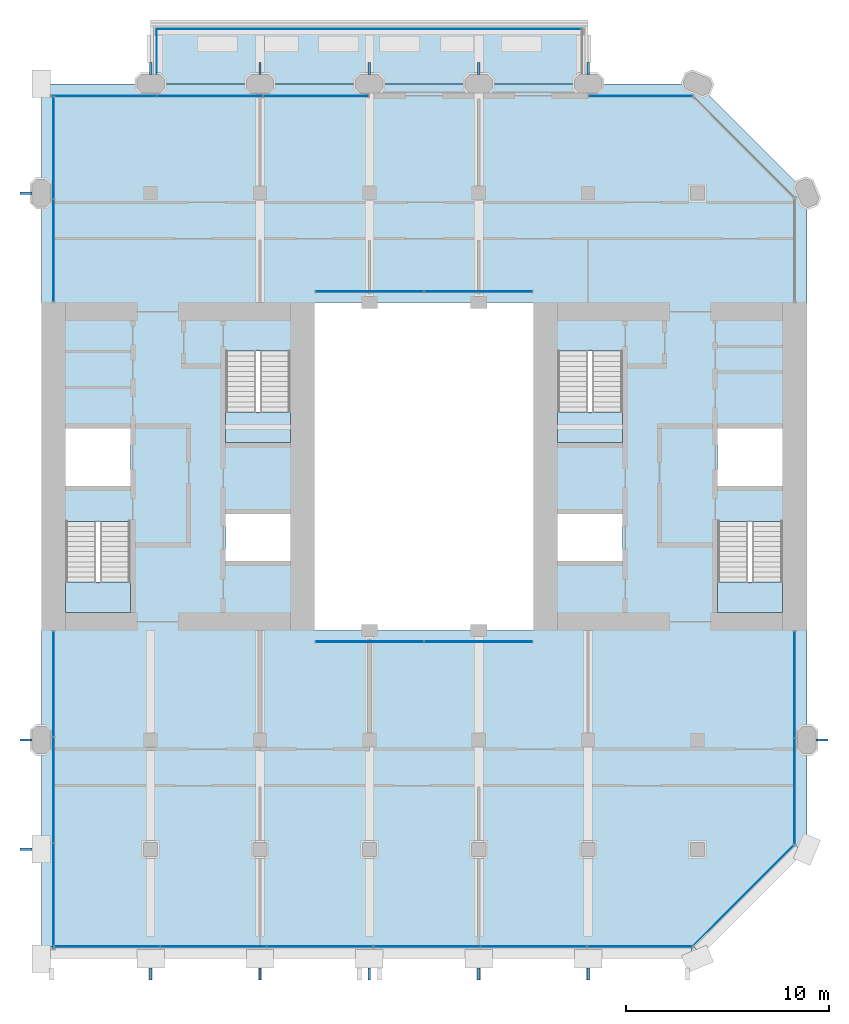
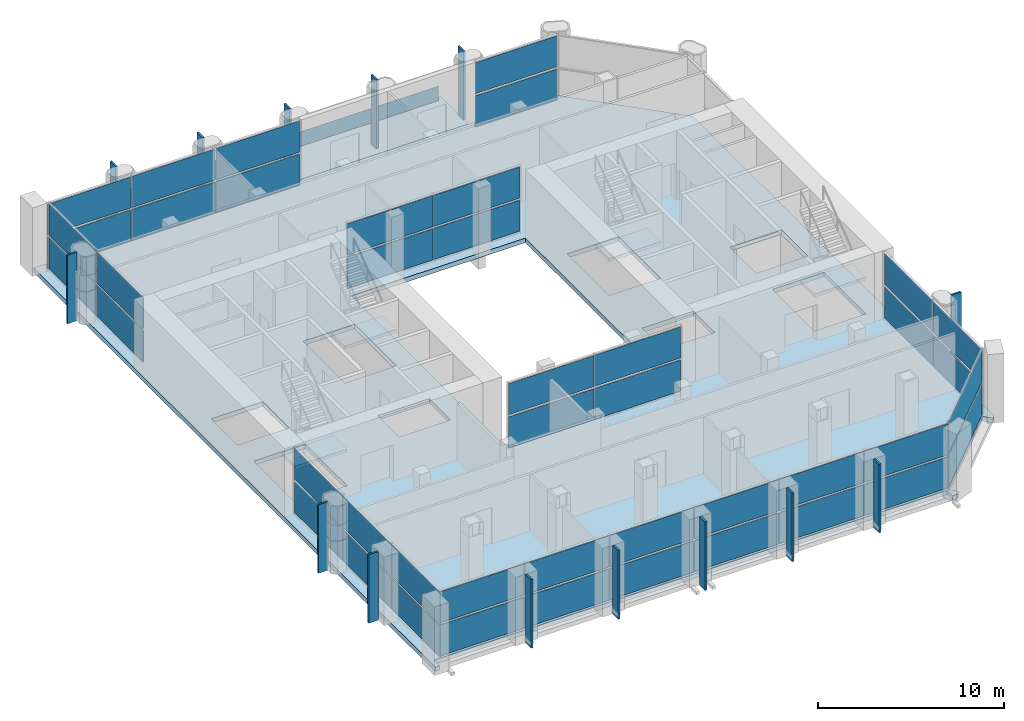
# One storey, part 7 of 13: 60 plates, 6 slabs, 13 elements without a shape of their own.
"""IFC4 building model written with IfcOpenShell, lengths in metres."""

from ifc_helpers import new_model, si_unit, direction, frame, frame_2d, origin, origin_2d, place, context, subcontext, project, spatial, polyline, rectangle, outline, extrude, material, layer, layer_set, type_object, element, aggregate, save


model = new_model("IFC4")

# Units and contexts
model_context = context("Model", 3, precision=1e-05, world=origin(), true_north=direction((0.0, 1.0)))
body_context = subcontext(model_context, "Body", "Model", "MODEL_VIEW")
ifc_project = project(units=[si_unit("LENGTHUNIT", "METRE"), si_unit("AREAUNIT", "SQUARE_METRE"), si_unit("VOLUMEUNIT", "CUBIC_METRE"), si_unit("PLANEANGLEUNIT", "RADIAN"), si_unit("MASSUNIT", "GRAM", prefix="KILO")], contexts=[model_context])

# Site, building, storey
site_placement = place(None, origin())
site = spatial("IfcSite", under=ifc_project, at=site_placement, CompositionType="ELEMENT")
building_placement = place(site_placement, origin())
building = spatial("IfcBuilding", under=site, at=building_placement, Name="Tabaq Tower and Sports Hall", CompositionType="ELEMENT")
storey_placement = place(building_placement, frame((0.0, 0.0, 255.699951171875)))
storey = spatial("IfcBuildingStorey", under=building, at=storey_placement, Name="L62", CompositionType="ELEMENT", Elevation=255.699951171875)

# Curtain wall, plates
ifc_material_1 = material(Name="Aluminium alloy 6063-T6 framed glazing", Category="aluminium")
curtain_wall_type_1 = type_object("IfcCurtainWallType", Name="CW1 curtain wall", PredefinedType="USERDEFINED", material=ifc_material_1)
curtain_wall_1_placement = place(storey_placement, origin())
curtain_wall_1 = element("IfcCurtainWall", 1, at=curtain_wall_1_placement, inside=storey, type_object=curtain_wall_type_1, Name="Atrium glazing L62 S", ObjectType="ATRIUM ENCLOSURE", PredefinedType="USERDEFINED")
ifc_material_2 = material(Name="Clear low-emissivity glass 28 mm", Category="glass")
ifc_layer_1 = layer(ifc_material_2, 0.028076171875)
ifc_layer_set_1 = layer_set([ifc_layer_1], Name="CW1 glass panel 28")
plate_type_1 = type_object("IfcPlateType", Name="CW1 glass panel 28", PredefinedType="CURTAIN_PANEL", material=ifc_layer_set_1)
plate_1_placement = place(storey_placement, frame((21.614990234375, 15.64990234375, 0.14013671875), z_axis=(0.0, 0.0, 1.0), x_axis=(1.0, 0.0, 0.0)))
plate_1 = element("IfcPlate", 2, at=plate_1_placement, type_object=plate_type_1, Name="CW1 panel 1.1", PredefinedType="CURTAIN_PANEL", context=body_context, shape_type="SweptSolid", body=[
    extrude(rectangle(XDim=5.31005859375, YDim=0.028076171875, at=origin_2d()), origin(), (0.0, 0.0, 1.0), 2.0400390625),
])
plate_2_placement = place(storey_placement, frame((21.614990234375, 15.64990234375, 2.320068359375), z_axis=(0.0, 0.0, 1.0), x_axis=(1.0, 0.0, 0.0)))
plate_2 = element("IfcPlate", 3, at=plate_2_placement, type_object=plate_type_1, Name="CW1 panel 1.2", PredefinedType="CURTAIN_PANEL", context=body_context, shape_type="SweptSolid", body=[
    extrude(rectangle(XDim=5.31005859375, YDim=0.028076171875, at=origin_2d()), origin(), (0.0, 0.0, 1.0), 2.0400390625),
])
plate_3_placement = place(storey_placement, frame((26.985107421875, 15.64990234375, 0.14013671875), z_axis=(0.0, 0.0, 1.0), x_axis=(1.0, 0.0, 0.0)))
plate_3 = element("IfcPlate", 4, at=plate_3_placement, type_object=plate_type_1, Name="CW1 panel 2.1", PredefinedType="CURTAIN_PANEL", context=body_context, shape_type="SweptSolid", body=[
    extrude(rectangle(XDim=5.31005859375, YDim=0.028076171875, at=origin_2d()), origin(), (0.0, 0.0, 1.0), 2.0400390625),
])
plate_4_placement = place(storey_placement, frame((26.985107421875, 15.64990234375, 2.320068359375), z_axis=(0.0, 0.0, 1.0), x_axis=(1.0, 0.0, 0.0)))
plate_4 = element("IfcPlate", 5, at=plate_4_placement, type_object=plate_type_1, Name="CW1 panel 2.2", PredefinedType="CURTAIN_PANEL", context=body_context, shape_type="SweptSolid", body=[
    extrude(rectangle(XDim=5.31005859375, YDim=0.028076171875, at=origin_2d()), origin(), (0.0, 0.0, 1.0), 2.0400390625),
])
aggregate(curtain_wall_1, [plate_1, plate_2, plate_3, plate_4])

curtain_wall_2_placement = place(storey_placement, origin())
curtain_wall_2 = element("IfcCurtainWall", 6, at=curtain_wall_2_placement, inside=storey, type_object=curtain_wall_type_1, Name="Atrium glazing L62 N", ObjectType="ATRIUM ENCLOSURE", PredefinedType="USERDEFINED")
plate_5_placement = place(storey_placement, frame((21.614990234375, 32.949951171875, 0.14013671875), z_axis=(0.0, 0.0, 1.0), x_axis=(1.0, 0.0, 0.0)))
plate_5 = element("IfcPlate", 7, at=plate_5_placement, type_object=plate_type_1, Name="CW1 panel 1.1", PredefinedType="CURTAIN_PANEL", context=body_context, shape_type="SweptSolid", body=[
    extrude(rectangle(XDim=5.31005859375, YDim=0.028076171875, at=origin_2d()), origin(), (0.0, 0.0, 1.0), 2.0400390625),
])
plate_6_placement = place(storey_placement, frame((21.614990234375, 32.949951171875, 2.320068359375), z_axis=(0.0, 0.0, 1.0), x_axis=(1.0, 0.0, 0.0)))
plate_6 = element("IfcPlate", 8, at=plate_6_placement, type_object=plate_type_1, Name="CW1 panel 1.2", PredefinedType="CURTAIN_PANEL", context=body_context, shape_type="SweptSolid", body=[
    extrude(rectangle(XDim=5.31005859375, YDim=0.028076171875, at=origin_2d()), origin(), (0.0, 0.0, 1.0), 2.0400390625),
])
plate_7_placement = place(storey_placement, frame((26.985107421875, 32.949951171875, 0.14013671875), z_axis=(0.0, 0.0, 1.0), x_axis=(1.0, 0.0, 0.0)))
plate_7 = element("IfcPlate", 9, at=plate_7_placement, type_object=plate_type_1, Name="CW1 panel 2.1", PredefinedType="CURTAIN_PANEL", context=body_context, shape_type="SweptSolid", body=[
    extrude(rectangle(XDim=5.31005859375, YDim=0.028076171875, at=origin_2d()), origin(), (0.0, 0.0, 1.0), 2.0400390625),
])
plate_8_placement = place(storey_placement, frame((26.985107421875, 32.949951171875, 2.320068359375), z_axis=(0.0, 0.0, 1.0), x_axis=(1.0, 0.0, 0.0)))
plate_8 = element("IfcPlate", 10, at=plate_8_placement, type_object=plate_type_1, Name="CW1 panel 2.2", PredefinedType="CURTAIN_PANEL", context=body_context, shape_type="SweptSolid", body=[
    extrude(rectangle(XDim=5.31005859375, YDim=0.028076171875, at=origin_2d()), origin(), (0.0, 0.0, 1.0), 2.0400390625),
])
aggregate(curtain_wall_2, [plate_5, plate_6, plate_7, plate_8])

ifc_material_3 = material(Name="Aluminium alloy 6063-T6 framed glazing", Category="aluminium")
curtain_wall_type_2 = type_object("IfcCurtainWallType", Name="CW3 curtain wall", PredefinedType="USERDEFINED", material=ifc_material_3)
curtain_wall_3_placement = place(storey_placement, origin())
curtain_wall_3 = element("IfcCurtainWall", 11, at=curtain_wall_3_placement, inside=storey, type_object=curtain_wall_type_2, Name="Garden Floor Wall L62 S", ObjectType="GARDEN FLOOR WALL", PredefinedType="USERDEFINED")
ifc_material_4 = material(Name="Clear low-emissivity glass 28 mm", Category="glass")
ifc_layer_2 = layer(ifc_material_4, 0.028076171875)
ifc_layer_set_2 = layer_set([ifc_layer_2], Name="CW3 glass panel 28")
plate_type_2 = type_object("IfcPlateType", Name="CW3 glass panel 28", PredefinedType="CURTAIN_PANEL", material=ifc_layer_set_2)
plate_9_placement = place(storey_placement, frame((8.6494140625, 0.60009765625, 0.14013671875), z_axis=(0.0, 0.0, 1.0), x_axis=(1.0, 0.0, 0.0)))
plate_9 = element("IfcPlate", 12, at=plate_9_placement, type_object=plate_type_2, Name="CW3 panel 1.1", PredefinedType="CURTAIN_PANEL", context=body_context, shape_type="SweptSolid", body=[
    extrude(rectangle(XDim=5.178955078125, YDim=0.028076171875, at=origin_2d()), origin(), (0.0, 0.0, 1.0), 2.0400390625),
])
plate_10_placement = place(storey_placement, frame((8.6494140625, 0.60009765625, 2.320068359375), z_axis=(0.0, 0.0, 1.0), x_axis=(1.0, 0.0, 0.0)))
plate_10 = element("IfcPlate", 13, at=plate_10_placement, type_object=plate_type_2, Name="CW3 panel 1.2", PredefinedType="CURTAIN_PANEL", context=body_context, shape_type="SweptSolid", body=[
    extrude(rectangle(XDim=5.178955078125, YDim=0.028076171875, at=origin_2d()), origin(), (0.0, 0.0, 1.0), 2.0400390625),
])
plate_11_placement = place(storey_placement, frame((13.9033203125, 0.60009765625, 0.14013671875), z_axis=(0.0, 0.0, 1.0), x_axis=(1.0, 0.0, 0.0)))
plate_11 = element("IfcPlate", 14, at=plate_11_placement, type_object=plate_type_2, Name="CW3 panel 2.1", PredefinedType="CURTAIN_PANEL", context=body_context, shape_type="SweptSolid", body=[
    extrude(rectangle(XDim=5.208984375, YDim=0.028076171875, at=origin_2d()), origin(), (0.0, 0.0, 1.0), 2.0400390625),
])
plate_12_placement = place(storey_placement, frame((13.9033203125, 0.60009765625, 2.320068359375), z_axis=(0.0, 0.0, 1.0), x_axis=(1.0, 0.0, 0.0)))
plate_12 = element("IfcPlate", 15, at=plate_12_placement, type_object=plate_type_2, Name="CW3 panel 2.2", PredefinedType="CURTAIN_PANEL", context=body_context, shape_type="SweptSolid", body=[
    extrude(rectangle(XDim=5.208984375, YDim=0.028076171875, at=origin_2d()), origin(), (0.0, 0.0, 1.0), 2.0400390625),
])
plate_13_placement = place(storey_placement, frame((19.17236328125, 0.60009765625, 0.14013671875), z_axis=(0.0, 0.0, 1.0), x_axis=(1.0, 0.0, 0.0)))
plate_13 = element("IfcPlate", 16, at=plate_13_placement, type_object=plate_type_2, Name="CW3 panel 3.1", PredefinedType="CURTAIN_PANEL", context=body_context, shape_type="SweptSolid", body=[
    extrude(rectangle(XDim=5.208984375, YDim=0.028076171875, at=origin_2d()), origin(), (0.0, 0.0, 1.0), 2.0400390625),
])
plate_14_placement = place(storey_placement, frame((19.17236328125, 0.60009765625, 2.320068359375), z_axis=(0.0, 0.0, 1.0), x_axis=(1.0, 0.0, 0.0)))
plate_14 = element("IfcPlate", 17, at=plate_14_placement, type_object=plate_type_2, Name="CW3 panel 3.2", PredefinedType="CURTAIN_PANEL", context=body_context, shape_type="SweptSolid", body=[
    extrude(rectangle(XDim=5.208984375, YDim=0.028076171875, at=origin_2d()), origin(), (0.0, 0.0, 1.0), 2.0400390625),
])
plate_15_placement = place(storey_placement, frame((24.441162109375, 0.60009765625, 0.14013671875), z_axis=(0.0, 0.0, 1.0), x_axis=(1.0, 0.0, 0.0)))
plate_15 = element("IfcPlate", 18, at=plate_15_placement, type_object=plate_type_2, Name="CW3 panel 4.1", PredefinedType="CURTAIN_PANEL", context=body_context, shape_type="SweptSolid", body=[
    extrude(rectangle(XDim=5.208984375, YDim=0.028076171875, at=origin_2d()), origin(), (0.0, 0.0, 1.0), 2.0400390625),
])
plate_16_placement = place(storey_placement, frame((24.441162109375, 0.60009765625, 2.320068359375), z_axis=(0.0, 0.0, 1.0), x_axis=(1.0, 0.0, 0.0)))
plate_16 = element("IfcPlate", 19, at=plate_16_placement, type_object=plate_type_2, Name="CW3 panel 4.2", PredefinedType="CURTAIN_PANEL", context=body_context, shape_type="SweptSolid", body=[
    extrude(rectangle(XDim=5.208984375, YDim=0.028076171875, at=origin_2d()), origin(), (0.0, 0.0, 1.0), 2.0400390625),
])
plate_17_placement = place(storey_placement, frame((29.710205078125, 0.60009765625, 0.14013671875), z_axis=(0.0, 0.0, 1.0), x_axis=(1.0, 0.0, 0.0)))
plate_17 = element("IfcPlate", 20, at=plate_17_placement, type_object=plate_type_2, Name="CW3 panel 5.1", PredefinedType="CURTAIN_PANEL", context=body_context, shape_type="SweptSolid", body=[
    extrude(rectangle(XDim=5.208984375, YDim=0.028076171875, at=origin_2d()), origin(), (0.0, 0.0, 1.0), 2.0400390625),
])
plate_18_placement = place(storey_placement, frame((29.710205078125, 0.60009765625, 2.320068359375), z_axis=(0.0, 0.0, 1.0), x_axis=(1.0, 0.0, 0.0)))
plate_18 = element("IfcPlate", 21, at=plate_18_placement, type_object=plate_type_2, Name="CW3 panel 5.2", PredefinedType="CURTAIN_PANEL", context=body_context, shape_type="SweptSolid", body=[
    extrude(rectangle(XDim=5.208984375, YDim=0.028076171875, at=origin_2d()), origin(), (0.0, 0.0, 1.0), 2.0400390625),
])
plate_19_placement = place(storey_placement, frame((34.964111328125, 0.60009765625, 0.14013671875), z_axis=(0.0, 0.0, 1.0), x_axis=(1.0, 0.0, 0.0)))
plate_19 = element("IfcPlate", 22, at=plate_19_placement, type_object=plate_type_2, Name="CW3 panel 6.1", PredefinedType="CURTAIN_PANEL", context=body_context, shape_type="SweptSolid", body=[
    extrude(rectangle(XDim=5.178955078125, YDim=0.028076171875, at=origin_2d()), origin(), (0.0, 0.0, 1.0), 2.0400390625),
])
plate_20_placement = place(storey_placement, frame((34.964111328125, 0.60009765625, 2.320068359375), z_axis=(0.0, 0.0, 1.0), x_axis=(1.0, 0.0, 0.0)))
plate_20 = element("IfcPlate", 23, at=plate_20_placement, type_object=plate_type_2, Name="CW3 panel 6.2", PredefinedType="CURTAIN_PANEL", context=body_context, shape_type="SweptSolid", body=[
    extrude(rectangle(XDim=5.178955078125, YDim=0.028076171875, at=origin_2d()), origin(), (0.0, 0.0, 1.0), 2.0400390625),
])
aggregate(curtain_wall_3, [plate_9, plate_10, plate_11, plate_12, plate_13, plate_14, plate_15, plate_16, plate_17, plate_18, plate_19, plate_20])

curtain_wall_4_placement = place(storey_placement, origin())
curtain_wall_4 = element("IfcCurtainWall", 24, at=curtain_wall_4_placement, inside=storey, type_object=curtain_wall_type_2, Name="Garden Floor Wall L62 SE", ObjectType="GARDEN FLOOR WALL", PredefinedType="USERDEFINED")
plate_21_placement = place(storey_placement, frame((40.07568359375, 3.124267578125, 0.14013671875), z_axis=(0.0, 0.0, 1.0), x_axis=(0.707106781187, 0.707106781187, 0.0)))
plate_21 = element("IfcPlate", 25, at=plate_21_placement, type_object=plate_type_2, Name="CW3 panel 1.1", PredefinedType="CURTAIN_PANEL", context=body_context, shape_type="SweptSolid", body=[
    extrude(rectangle(XDim=7.019775390625, YDim=0.028076171875, at=origin_2d()), origin(), (0.0, 0.0, 1.0), 2.0400390625),
])
plate_22_placement = place(storey_placement, frame((40.07568359375, 3.124267578125, 2.320068359375), z_axis=(0.0, 0.0, 1.0), x_axis=(0.707106781187, 0.707106781187, 0.0)))
plate_22 = element("IfcPlate", 26, at=plate_22_placement, type_object=plate_type_2, Name="CW3 panel 1.2", PredefinedType="CURTAIN_PANEL", context=body_context, shape_type="SweptSolid", body=[
    extrude(rectangle(XDim=7.019775390625, YDim=0.028076171875, at=origin_2d()), origin(), (0.0, 0.0, 1.0), 2.0400390625),
])
aggregate(curtain_wall_4, [plate_21, plate_22])

curtain_wall_5_placement = place(storey_placement, origin())
curtain_wall_5 = element("IfcCurtainWall", 27, at=curtain_wall_5_placement, inside=storey, type_object=curtain_wall_type_2, Name="Garden Floor Wall L62 E", ObjectType="GARDEN FLOOR WALL", PredefinedType="USERDEFINED")
plate_23_placement = place(storey_placement, frame((42.60009765625, 8.2548828125, 0.14013671875), z_axis=(0.0, 0.0, 1.0), x_axis=(0.0, 1.0, 0.0)))
plate_23 = element("IfcPlate", 28, at=plate_23_placement, type_object=plate_type_2, Name="CW3 panel 1.1", PredefinedType="CURTAIN_PANEL", context=body_context, shape_type="SweptSolid", body=[
    extrude(rectangle(XDim=5.216796875, YDim=0.028076171875, at=origin_2d()), origin(), (0.0, 0.0, 1.0), 2.0400390625),
])
plate_24_placement = place(storey_placement, frame((42.60009765625, 8.2548828125, 2.320068359375), z_axis=(0.0, 0.0, 1.0), x_axis=(0.0, 1.0, 0.0)))
plate_24 = element("IfcPlate", 29, at=plate_24_placement, type_object=plate_type_2, Name="CW3 panel 1.2", PredefinedType="CURTAIN_PANEL", context=body_context, shape_type="SweptSolid", body=[
    extrude(rectangle(XDim=5.216796875, YDim=0.028076171875, at=origin_2d()), origin(), (0.0, 0.0, 1.0), 2.0400390625),
])
plate_25_placement = place(storey_placement, frame((42.60009765625, 13.531494140625, 0.14013671875), z_axis=(0.0, 0.0, 1.0), x_axis=(0.0, 1.0, 0.0)))
plate_25 = element("IfcPlate", 30, at=plate_25_placement, type_object=plate_type_2, Name="CW3 panel 2.1", PredefinedType="CURTAIN_PANEL", context=body_context, shape_type="SweptSolid", body=[
    extrude(rectangle(XDim=5.216796875, YDim=0.028076171875, at=origin_2d()), origin(), (0.0, 0.0, 1.0), 2.0400390625),
])
plate_26_placement = place(storey_placement, frame((42.60009765625, 13.531494140625, 2.320068359375), z_axis=(0.0, 0.0, 1.0), x_axis=(0.0, 1.0, 0.0)))
plate_26 = element("IfcPlate", 31, at=plate_26_placement, type_object=plate_type_2, Name="CW3 panel 2.2", PredefinedType="CURTAIN_PANEL", context=body_context, shape_type="SweptSolid", body=[
    extrude(rectangle(XDim=5.216796875, YDim=0.028076171875, at=origin_2d()), origin(), (0.0, 0.0, 1.0), 2.0400390625),
])
aggregate(curtain_wall_5, [plate_23, plate_24, plate_25, plate_26])

curtain_wall_6_placement = place(storey_placement, origin())
curtain_wall_6 = element("IfcCurtainWall", 32, at=curtain_wall_6_placement, inside=storey, type_object=curtain_wall_type_2, Name="Garden Floor Wall L62 N", ObjectType="GARDEN FLOOR WALL", PredefinedType="USERDEFINED")
plate_27_placement = place(storey_placement, frame((35.0068359375, 42.60009765625, 0.14013671875), z_axis=(0.0, 0.0, 1.0), x_axis=(-1.0, 0.0, 0.0)))
plate_27 = element("IfcPlate", 33, at=plate_27_placement, type_object=plate_type_2, Name="CW3 panel 1.1", PredefinedType="CURTAIN_PANEL", context=body_context, shape_type="SweptSolid", body=[
    extrude(rectangle(XDim=5.093505859375, YDim=0.028076171875, at=origin_2d()), origin(), (0.0, 0.0, 1.0), 2.0400390625),
])
plate_28_placement = place(storey_placement, frame((35.0068359375, 42.60009765625, 2.320068359375), z_axis=(0.0, 0.0, 1.0), x_axis=(-1.0, 0.0, 0.0)))
plate_28 = element("IfcPlate", 34, at=plate_28_placement, type_object=plate_type_2, Name="CW3 panel 1.2", PredefinedType="CURTAIN_PANEL", context=body_context, shape_type="SweptSolid", body=[
    extrude(rectangle(XDim=5.093505859375, YDim=0.028076171875, at=origin_2d()), origin(), (0.0, 0.0, 1.0), 2.0400390625),
])
aggregate(curtain_wall_6, [plate_27, plate_28])

curtain_wall_7_placement = place(storey_placement, origin())
curtain_wall_7 = element("IfcCurtainWall", 35, at=curtain_wall_7_placement, inside=storey, type_object=curtain_wall_type_2, Name="Garden Floor Wall L62 N", ObjectType="GARDEN FLOOR WALL", PredefinedType="USERDEFINED")
plate_29_placement = place(storey_placement, frame((18.9599609375, 42.60009765625, 0.14013671875), z_axis=(0.0, 0.0, 1.0), x_axis=(-1.0, 0.0, 0.0)))
plate_29 = element("IfcPlate", 36, at=plate_29_placement, type_object=plate_type_2, Name="CW3 panel 1.1", PredefinedType="CURTAIN_PANEL", context=body_context, shape_type="SweptSolid", body=[
    extrude(rectangle(XDim=5.159912109375, YDim=0.028076171875, at=origin_2d()), origin(), (0.0, 0.0, 1.0), 2.0400390625),
])
plate_30_placement = place(storey_placement, frame((18.9599609375, 42.60009765625, 2.320068359375), z_axis=(0.0, 0.0, 1.0), x_axis=(-1.0, 0.0, 0.0)))
plate_30 = element("IfcPlate", 37, at=plate_30_placement, type_object=plate_type_2, Name="CW3 panel 1.2", PredefinedType="CURTAIN_PANEL", context=body_context, shape_type="SweptSolid", body=[
    extrude(rectangle(XDim=5.159912109375, YDim=0.028076171875, at=origin_2d()), origin(), (0.0, 0.0, 1.0), 2.0400390625),
])
plate_31_placement = place(storey_placement, frame((13.72509765625, 42.60009765625, 0.14013671875), z_axis=(0.0, 0.0, 1.0), x_axis=(-1.0, 0.0, 0.0)))
plate_31 = element("IfcPlate", 38, at=plate_31_placement, type_object=plate_type_2, Name="CW3 panel 2.1", PredefinedType="CURTAIN_PANEL", context=body_context, shape_type="SweptSolid", body=[
    extrude(rectangle(XDim=5.18994140625, YDim=0.028076171875, at=origin_2d()), origin(), (0.0, 0.0, 1.0), 2.0400390625),
])
plate_32_placement = place(storey_placement, frame((13.72509765625, 42.60009765625, 2.320068359375), z_axis=(0.0, 0.0, 1.0), x_axis=(-1.0, 0.0, 0.0)))
plate_32 = element("IfcPlate", 39, at=plate_32_placement, type_object=plate_type_2, Name="CW3 panel 2.2", PredefinedType="CURTAIN_PANEL", context=body_context, shape_type="SweptSolid", body=[
    extrude(rectangle(XDim=5.18994140625, YDim=0.028076171875, at=origin_2d()), origin(), (0.0, 0.0, 1.0), 2.0400390625),
])
plate_33_placement = place(storey_placement, frame((8.489990234375, 42.60009765625, 0.14013671875), z_axis=(0.0, 0.0, 1.0), x_axis=(-1.0, 0.0, 0.0)))
plate_33 = element("IfcPlate", 40, at=plate_33_placement, type_object=plate_type_2, Name="CW3 panel 3.1", PredefinedType="CURTAIN_PANEL", context=body_context, shape_type="SweptSolid", body=[
    extrude(rectangle(XDim=5.159912109375, YDim=0.028076171875, at=origin_2d()), origin(), (0.0, 0.0, 1.0), 2.0400390625),
])
plate_34_placement = place(storey_placement, frame((8.489990234375, 42.60009765625, 2.320068359375), z_axis=(0.0, 0.0, 1.0), x_axis=(-1.0, 0.0, 0.0)))
plate_34 = element("IfcPlate", 41, at=plate_34_placement, type_object=plate_type_2, Name="CW3 panel 3.2", PredefinedType="CURTAIN_PANEL", context=body_context, shape_type="SweptSolid", body=[
    extrude(rectangle(XDim=5.159912109375, YDim=0.028076171875, at=origin_2d()), origin(), (0.0, 0.0, 1.0), 2.0400390625),
])
aggregate(curtain_wall_7, [plate_29, plate_30, plate_31, plate_32, plate_33, plate_34])

curtain_wall_8_placement = place(storey_placement, origin())
curtain_wall_8 = element("IfcCurtainWall", 42, at=curtain_wall_8_placement, inside=storey, type_object=curtain_wall_type_2, Name="Garden Floor Wall L62 W", ObjectType="GARDEN FLOOR WALL", PredefinedType="USERDEFINED")
plate_35_placement = place(storey_placement, frame((6.0, 40.034912109375, 0.14013671875), z_axis=(0.0, 0.0, 1.0), x_axis=(0.0, -1.0, 0.0)))
plate_35 = element("IfcPlate", 43, at=plate_35_placement, type_object=plate_type_2, Name="CW3 panel 1.1", PredefinedType="CURTAIN_PANEL", context=body_context, shape_type="SweptSolid", body=[
    extrude(rectangle(XDim=5.010009765625, YDim=0.028076171875, at=origin_2d()), origin(), (0.0, 0.0, 1.0), 2.0400390625),
])
plate_36_placement = place(storey_placement, frame((6.0, 40.034912109375, 2.320068359375), z_axis=(0.0, 0.0, 1.0), x_axis=(0.0, -1.0, 0.0)))
plate_36 = element("IfcPlate", 44, at=plate_36_placement, type_object=plate_type_2, Name="CW3 panel 1.2", PredefinedType="CURTAIN_PANEL", context=body_context, shape_type="SweptSolid", body=[
    extrude(rectangle(XDim=5.010009765625, YDim=0.028076171875, at=origin_2d()), origin(), (0.0, 0.0, 1.0), 2.0400390625),
])
plate_37_placement = place(storey_placement, frame((6.0, 34.965087890625, 0.14013671875), z_axis=(0.0, 0.0, 1.0), x_axis=(0.0, -1.0, 0.0)))
plate_37 = element("IfcPlate", 45, at=plate_37_placement, type_object=plate_type_2, Name="CW3 panel 2.1", PredefinedType="CURTAIN_PANEL", context=body_context, shape_type="SweptSolid", body=[
    extrude(rectangle(XDim=5.010009765625, YDim=0.028076171875, at=origin_2d()), origin(), (0.0, 0.0, 1.0), 2.0400390625),
])
plate_38_placement = place(storey_placement, frame((6.0, 34.965087890625, 2.320068359375), z_axis=(0.0, 0.0, 1.0), x_axis=(0.0, -1.0, 0.0)))
plate_38 = element("IfcPlate", 46, at=plate_38_placement, type_object=plate_type_2, Name="CW3 panel 2.2", PredefinedType="CURTAIN_PANEL", context=body_context, shape_type="SweptSolid", body=[
    extrude(rectangle(XDim=5.010009765625, YDim=0.028076171875, at=origin_2d()), origin(), (0.0, 0.0, 1.0), 2.0400390625),
])
aggregate(curtain_wall_8, [plate_35, plate_36, plate_37, plate_38])

curtain_wall_9_placement = place(storey_placement, origin())
curtain_wall_9 = element("IfcCurtainWall", 47, at=curtain_wall_9_placement, inside=storey, type_object=curtain_wall_type_2, Name="Garden Floor Wall L62 W", ObjectType="GARDEN FLOOR WALL", PredefinedType="USERDEFINED")
plate_39_placement = place(storey_placement, frame((6.0, 13.56005859375, 0.14013671875), z_axis=(0.0, 0.0, 1.0), x_axis=(0.0, -1.0, 0.0)))
plate_39 = element("IfcPlate", 48, at=plate_39_placement, type_object=plate_type_2, Name="CW3 panel 1.1", PredefinedType="CURTAIN_PANEL", context=body_context, shape_type="SweptSolid", body=[
    extrude(rectangle(XDim=5.159912109375, YDim=0.028076171875, at=origin_2d()), origin(), (0.0, 0.0, 1.0), 2.0400390625),
])
plate_40_placement = place(storey_placement, frame((6.0, 13.56005859375, 2.320068359375), z_axis=(0.0, 0.0, 1.0), x_axis=(0.0, -1.0, 0.0)))
plate_40 = element("IfcPlate", 49, at=plate_40_placement, type_object=plate_type_2, Name="CW3 panel 1.2", PredefinedType="CURTAIN_PANEL", context=body_context, shape_type="SweptSolid", body=[
    extrude(rectangle(XDim=5.159912109375, YDim=0.028076171875, at=origin_2d()), origin(), (0.0, 0.0, 1.0), 2.0400390625),
])
plate_41_placement = place(storey_placement, frame((6.0, 8.324951171875, 0.14013671875), z_axis=(0.0, 0.0, 1.0), x_axis=(0.0, -1.0, 0.0)))
plate_41 = element("IfcPlate", 50, at=plate_41_placement, type_object=plate_type_2, Name="CW3 panel 2.1", PredefinedType="CURTAIN_PANEL", context=body_context, shape_type="SweptSolid", body=[
    extrude(rectangle(XDim=5.18994140625, YDim=0.028076171875, at=origin_2d()), origin(), (0.0, 0.0, 1.0), 2.0400390625),
])
plate_42_placement = place(storey_placement, frame((6.0, 8.324951171875, 2.320068359375), z_axis=(0.0, 0.0, 1.0), x_axis=(0.0, -1.0, 0.0)))
plate_42 = element("IfcPlate", 51, at=plate_42_placement, type_object=plate_type_2, Name="CW3 panel 2.2", PredefinedType="CURTAIN_PANEL", context=body_context, shape_type="SweptSolid", body=[
    extrude(rectangle(XDim=5.18994140625, YDim=0.028076171875, at=origin_2d()), origin(), (0.0, 0.0, 1.0), 2.0400390625),
])
plate_43_placement = place(storey_placement, frame((6.0, 3.090087890625, 0.14013671875), z_axis=(0.0, 0.0, 1.0), x_axis=(0.0, -1.0, 0.0)))
plate_43 = element("IfcPlate", 52, at=plate_43_placement, type_object=plate_type_2, Name="CW3 panel 3.1", PredefinedType="CURTAIN_PANEL", context=body_context, shape_type="SweptSolid", body=[
    extrude(rectangle(XDim=5.159912109375, YDim=0.028076171875, at=origin_2d()), origin(), (0.0, 0.0, 1.0), 2.0400390625),
])
plate_44_placement = place(storey_placement, frame((6.0, 3.090087890625, 2.320068359375), z_axis=(0.0, 0.0, 1.0), x_axis=(0.0, -1.0, 0.0)))
plate_44 = element("IfcPlate", 53, at=plate_44_placement, type_object=plate_type_2, Name="CW3 panel 3.2", PredefinedType="CURTAIN_PANEL", context=body_context, shape_type="SweptSolid", body=[
    extrude(rectangle(XDim=5.159912109375, YDim=0.028076171875, at=origin_2d()), origin(), (0.0, 0.0, 1.0), 2.0400390625),
])
aggregate(curtain_wall_9, [plate_39, plate_40, plate_41, plate_42, plate_43, plate_44])

# Slab
ifc_material_5 = material(Name="Concrete C40/50", Category="concrete")
ifc_layer_3 = layer(ifc_material_5, 0.300048828125)
ifc_layer_set_3 = layer_set([ifc_layer_3], Name="Concrete C40/50 PT tray slab 300")
slab_type_1 = type_object("IfcSlabType", Name="Concrete C40/50 PT tray slab 300", PredefinedType="FLOOR", material=ifc_layer_set_3)
slab_1_placement = place(storey_placement, frame((0.0, 0.0, -0.300048828125)))
element("IfcSlab", 54, at=slab_1_placement, inside=storey, type_object=slab_type_1, Name="Tray slab L62", PredefinedType="FLOOR", context=body_context, shape_type="SweptSolid", body=[
    extrude(outline(polyline([(32.39990234375, 43.199951171875), (10.800048828125, 43.199951171875), (10.800048828125, 46.199951171875), (32.39990234375, 46.199951171875), (32.39990234375, 43.199951171875)])), origin(), (0.0, 0.0, 1.0), 0.300048828125),
])

# Stair, slab
ifc_material_6 = material(Name="Concrete C40/50", Category="concrete")
stair_type = type_object("IfcStairType", Name="Exit stair", PredefinedType="HALF_TURN_STAIR", material=ifc_material_6)
stair_1_placement = place(storey_placement, origin())
stair_1 = element("IfcStair", 55, at=stair_1_placement, inside=storey, type_object=stair_type, Name="L62 Exit stair ST1", PredefinedType="HALF_TURN_STAIR")
ifc_material_7 = material(Name="Concrete C40/50", Category="concrete")
ifc_layer_4 = layer(ifc_material_7, 0.199951171875)
ifc_layer_set_4 = layer_set([ifc_layer_4], Name="Exit stair landing")
slab_type_2 = type_object("IfcSlabType", Name="Exit stair landing", PredefinedType="LANDING", material=ifc_layer_set_4)
slab_2_placement = place(storey_placement, frame((0.0, 0.0, 2.199951171875)))
slab_2 = element("IfcSlab", 56, at=slab_2_placement, type_object=slab_type_2, Name="ST1 landing 1", PredefinedType="LANDING", context=body_context, shape_type="SweptSolid", body=[
    extrude(outline(polyline([(6.60009765625, 18.60009765625), (6.60009765625, 17.10009765625), (9.800048828125, 17.10009765625), (9.800048828125, 18.60009765625), (6.60009765625, 18.60009765625)])), origin(), (0.0, 0.0, 1.0), 0.2001953125),
])
aggregate(stair_1, [slab_2])

stair_2_placement = place(storey_placement, origin())
stair_2 = element("IfcStair", 57, at=stair_2_placement, inside=storey, type_object=stair_type, Name="L62 Exit stair ST2", PredefinedType="HALF_TURN_STAIR")
slab_3_placement = place(storey_placement, frame((0.0, 0.0, 2.199951171875)))
slab_3 = element("IfcSlab", 58, at=slab_3_placement, type_object=slab_type_2, Name="ST2 landing 1", PredefinedType="LANDING", context=body_context, shape_type="SweptSolid", body=[
    extrude(outline(polyline([(14.5, 27.0), (14.5, 25.5), (17.699951171875, 25.5), (17.699951171875, 27.0), (14.5, 27.0)])), origin(), (0.0, 0.0, 1.0), 0.2001953125),
])
aggregate(stair_2, [slab_3])

stair_3_placement = place(storey_placement, origin())
stair_3 = element("IfcStair", 59, at=stair_3_placement, inside=storey, type_object=stair_type, Name="L62 Exit stair ST3", PredefinedType="HALF_TURN_STAIR")
slab_4_placement = place(storey_placement, frame((0.0, 0.0, 2.199951171875)))
slab_4 = element("IfcSlab", 60, at=slab_4_placement, type_object=slab_type_2, Name="ST3 landing 1", PredefinedType="LANDING", context=body_context, shape_type="SweptSolid", body=[
    extrude(outline(polyline([(38.800048828125, 18.60009765625), (38.800048828125, 17.10009765625), (42.0, 17.10009765625), (42.0, 18.60009765625), (38.800048828125, 18.60009765625)])), origin(), (0.0, 0.0, 1.0), 0.2001953125),
])
aggregate(stair_3, [slab_4])

stair_4_placement = place(storey_placement, origin())
stair_4 = element("IfcStair", 61, at=stair_4_placement, inside=storey, type_object=stair_type, Name="L62 Exit stair ST4", PredefinedType="HALF_TURN_STAIR")
slab_5_placement = place(storey_placement, frame((0.0, 0.0, 2.199951171875)))
slab_5 = element("IfcSlab", 62, at=slab_5_placement, type_object=slab_type_2, Name="ST4 landing 1", PredefinedType="LANDING", context=body_context, shape_type="SweptSolid", body=[
    extrude(outline(polyline([(30.89990234375, 27.0), (30.89990234375, 25.5), (34.10009765625, 25.5), (34.10009765625, 27.0), (30.89990234375, 27.0)])), origin(), (0.0, 0.0, 1.0), 0.2001953125),
])
aggregate(stair_4, [slab_5])

# Plates
ifc_material_8 = material(Name="Clear low-emissivity glass 28 mm", Category="glass")
ifc_layer_5 = layer(ifc_material_8, 0.02001953125)
ifc_layer_set_5 = layer_set([ifc_layer_5], Name="Laminated glass tray guard panel 20")
plate_type_3 = type_object("IfcPlateType", Name="Laminated glass tray guard panel 20", PredefinedType="USERDEFINED", material=ifc_layer_set_5)
plate_45_placement = place(storey_placement, frame((32.10009765625, 45.89990234375, 0.0), z_axis=(0.0, 0.0, 1.0), x_axis=(-1.0, 0.0, 0.0)))
element("IfcPlate", 63, at=plate_45_placement, inside=storey, type_object=plate_type_3, Name="Tray guard glass L62", ObjectType="GUARD GLASS", PredefinedType="USERDEFINED", context=body_context, shape_type="SweptSolid", body=[
    extrude(rectangle(XDim=21.0, YDim=0.02001953125, at=frame_2d((10.5, 0.0))), origin(), (0.0, 0.0, 1.0), 0.949951171875),
])
plate_46_placement = place(storey_placement, frame((11.10009765625, 45.89990234375, 0.0), z_axis=(0.0, 0.0, 1.0), x_axis=(0.0, -1.0, 0.0)))
element("IfcPlate", 64, at=plate_46_placement, inside=storey, type_object=plate_type_3, Name="Tray guard glass L62", ObjectType="GUARD GLASS", PredefinedType="USERDEFINED", context=body_context, shape_type="SweptSolid", body=[
    extrude(rectangle(XDim=2.199951171875, YDim=0.02001953125, at=frame_2d((1.10009765625, 0.0))), origin(), (0.0, 0.0, 1.0), 0.949951171875),
])

# Slab
ifc_material_9 = material(Name="Concrete C40/50", Category="concrete")
ifc_layer_6 = layer(ifc_material_9, 0.300048828125)
ifc_layer_set_6 = layer_set([ifc_layer_6], Name="PT FLOOR SLAB 300 C40/50")
slab_type_3 = type_object("IfcSlabType", Name="PT FLOOR SLAB 300 C40/50", PredefinedType="FLOOR", material=ifc_layer_set_6)
slab_6_placement = place(storey_placement, frame((0.0, 0.0, -0.300048828125)))
element("IfcSlab", 65, at=slab_6_placement, inside=storey, type_object=slab_type_3, Name="Floor Slab L62", PredefinedType="FLOOR", context=body_context, shape_type="SweptSolid", body=[
    extrude(outline(polyline([(43.199951171875, 5.39990234375), (43.199951171875, 37.800048828125), (37.800048828125, 43.199951171875), (5.39990234375, 43.199951171875), (5.39990234375, 0.0), (5.68994140625, 0.0), (5.68994140625, 0.5), (5.68994140625, 0.60009765625), (37.50146484375, 0.60009765625), (37.50146484375, 0.5), (37.50146484375, 0.0), (37.800048828125, 0.0), (38.010986328125, 0.211181640625), (37.5869140625, 0.63525390625), (42.598876953125, 5.6474609375), (42.669677734375, 5.57666015625), (43.023193359375, 5.22314453125), (43.199951171875, 5.39990234375)]), holes=[polyline([(6.60009765625, 21.599365234375), (9.800048828125, 21.599365234375), (9.800048828125, 17.10009765625), (6.60009765625, 17.10009765625), (6.60009765625, 21.599365234375)]), polyline([(38.800048828125, 21.599365234375), (42.0, 21.599365234375), (42.0, 17.10009765625), (38.800048828125, 17.10009765625), (38.800048828125, 21.599365234375)]), polyline([(14.5, 21.949951171875), (17.699951171875, 21.949951171875), (17.699951171875, 19.64990234375), (14.5, 19.64990234375), (14.5, 21.949951171875)]), polyline([(30.89990234375, 21.949951171875), (34.10009765625, 21.949951171875), (34.10009765625, 19.64990234375), (30.89990234375, 19.64990234375), (30.89990234375, 21.949951171875)]), polyline([(18.89990234375, 16.199951171875), (18.89990234375, 32.39990234375), (29.699951171875, 32.39990234375), (29.699951171875, 16.199951171875), (18.89990234375, 16.199951171875)]), polyline([(6.60009765625, 26.175048828125), (9.800048828125, 26.175048828125), (9.800048828125, 23.35009765625), (6.60009765625, 23.35009765625), (6.60009765625, 26.175048828125)]), polyline([(38.800048828125, 26.175048828125), (42.0, 26.175048828125), (42.0, 23.35009765625), (38.800048828125, 23.35009765625), (38.800048828125, 26.175048828125)]), polyline([(17.699951171875, 29.99951171875), (17.699951171875, 25.5), (14.5, 25.5), (14.5, 29.99951171875), (17.699951171875, 29.99951171875)]), polyline([(34.10009765625, 29.99951171875), (34.10009765625, 25.5), (30.89990234375, 25.5), (30.89990234375, 29.99951171875), (34.10009765625, 29.99951171875)])]), origin(), (0.0, 0.0, 1.0), 0.300048828125),
])

# Plates
ifc_material_10 = material(Name="White precast concrete C60/75 fin", Category="concrete")
ifc_layer_7 = layer(ifc_material_10, 0.1201171875)
ifc_layer_set_7 = layer_set([ifc_layer_7], Name="White precast concrete C60/75 fin 120")
plate_type_4 = type_object("IfcPlateType", Name="White precast concrete C60/75 fin 120", PredefinedType="USERDEFINED", material=ifc_layer_set_7)
for number, where, z_axis, x_axis, name in (
    (66, (10.800048828125, -0.75, 0.0), (0.0, 0.0, 1.0), (1.0, 0.0, 0.0), "Fin L62 S"),
    (67, (16.199951171875, -0.75, 0.0), (0.0, 0.0, 1.0), (1.0, 0.0, 0.0), "Fin L62 S"),
    (68, (21.60009765625, -0.75, 0.0), (0.0, 0.0, 1.0), (1.0, 0.0, 0.0), "Fin L62 S"),
    (69, (27.0, -0.75, 0.0), (0.0, 0.0, 1.0), (1.0, 0.0, 0.0), "Fin L62 S"),
    (70, (32.39990234375, -0.75, 0.0), (0.0, 0.0, 1.0), (1.0, 0.0, 0.0), "Fin L62 S"),
    (71, (43.949951171875, 10.800048828125, 0.0), (0.0, 0.0, 1.0), (0.0, 1.0, 0.0), "Fin L62 E"),
    (72, (32.39990234375, 43.949951171875, 0.0), (0.0, 0.0, 1.0), (-1.0, 0.0, 0.0), "Fin L62 N"),
    (73, (27.0, 43.949951171875, 0.0), (0.0, 0.0, 1.0), (-1.0, 0.0, 0.0), "Fin L62 N"),
    (74, (21.60009765625, 43.949951171875, 0.0), (0.0, 0.0, 1.0), (-1.0, 0.0, 0.0), "Fin L62 N"),
    (75, (16.199951171875, 43.949951171875, 0.0), (0.0, 0.0, 1.0), (-1.0, 0.0, 0.0), "Fin L62 N"),
    (76, (10.800048828125, 43.949951171875, 0.0), (0.0, 0.0, 1.0), (-1.0, 0.0, 0.0), "Fin L62 N"),
    (77, (4.64990234375, 37.800048828125, 0.0), (0.0, 0.0, 1.0), (0.0, -1.0, 0.0), "Fin L62 W"),
    (78, (4.64990234375, 10.800048828125, 0.0), (0.0, 0.0, 1.0), (0.0, -1.0, 0.0), "Fin L62 W"),
    (79, (4.64990234375, 5.39990234375, 0.0), (0.0, 0.0, 1.0), (0.0, -1.0, 0.0), "Fin L62 W"),
):
    element("IfcPlate", number, at=place(storey_placement, frame(where, z_axis=z_axis, x_axis=x_axis)), inside=storey, type_object=plate_type_4, Name=name, ObjectType="FIN", PredefinedType="USERDEFINED", context=body_context, shape_type="SweptSolid", body=[
        extrude(rectangle(XDim=0.1201171875, YDim=0.60009765625, at=origin_2d()), origin(), (0.0, 0.0, 1.0), 4.5),
    ])

save(model, "model.ifc")
